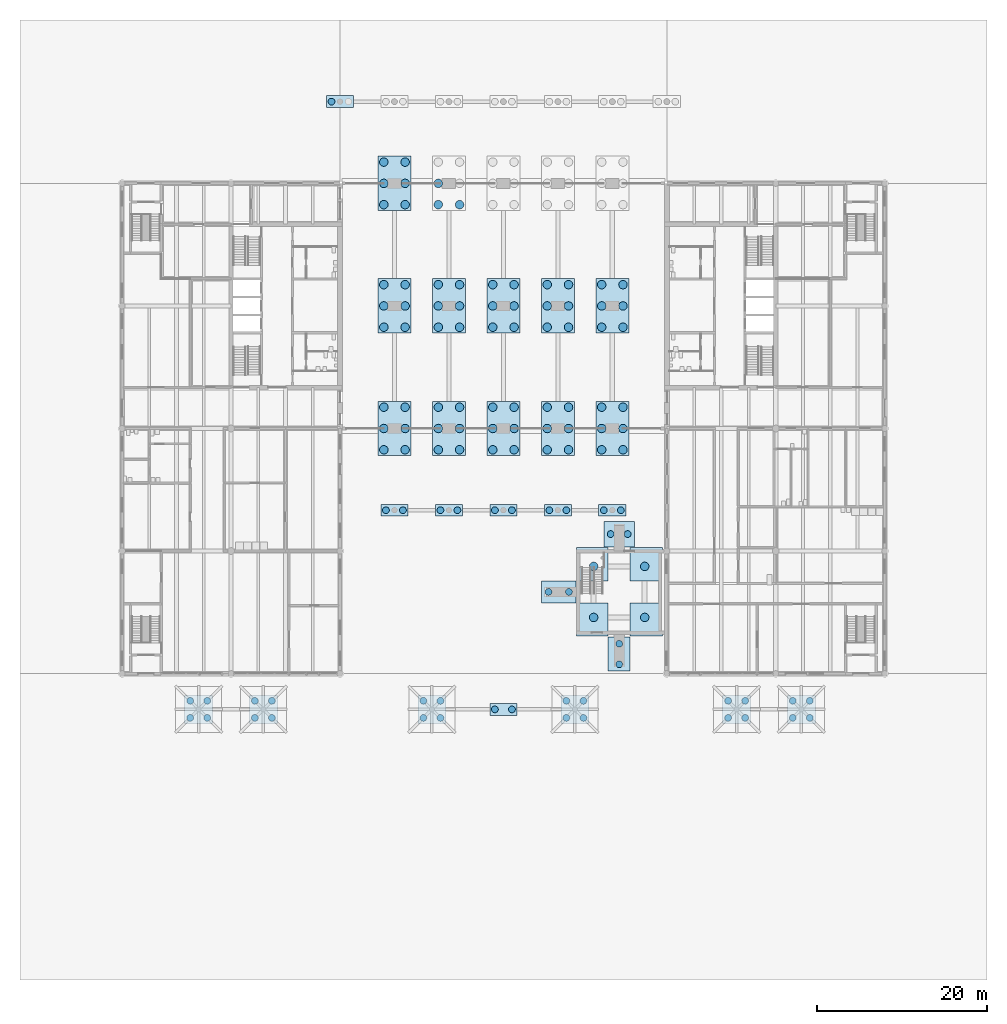
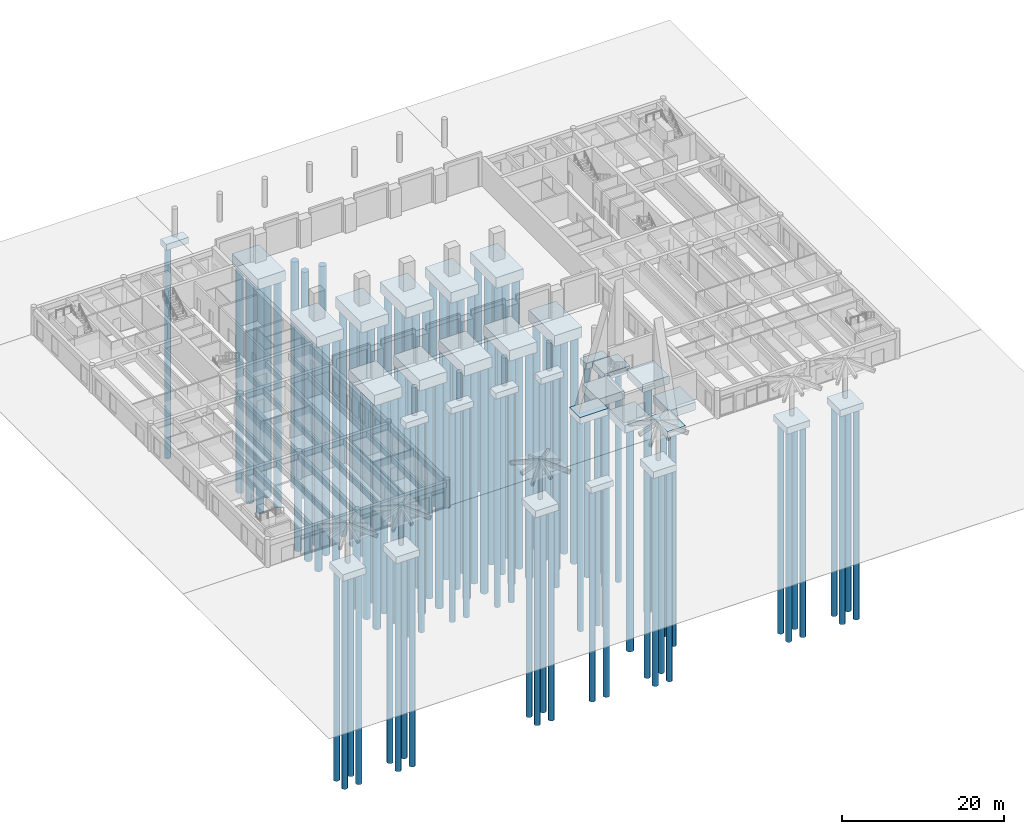
# One storey, part 1 of 28: 116 piles, 31 footings.
"""IFC4 building model written with IfcOpenShell, lengths in metres."""

from ifc_helpers import new_model, si_unit, direction, frame, origin, origin_2d, place, context, subcontext, project, spatial, polyline, circle, outline, extrude, material, layer, layer_set, material_profile, profile_set, type_object, element, save


model = new_model("IFC4")

# Units and contexts
model_context = context("Model", 3, precision=1e-05, world=origin(), true_north=direction((0.0, 1.0)))
body_context = subcontext(model_context, "Body", "Model", "MODEL_VIEW")
ifc_project = project(units=[si_unit("LENGTHUNIT", "METRE"), si_unit("AREAUNIT", "SQUARE_METRE"), si_unit("VOLUMEUNIT", "CUBIC_METRE"), si_unit("PLANEANGLEUNIT", "RADIAN"), si_unit("MASSUNIT", "GRAM", prefix="KILO")], contexts=[model_context])

# Site, building, storey
site_placement = place(None, origin())
site = spatial("IfcSite", under=ifc_project, at=site_placement, CompositionType="ELEMENT")
building_placement = place(site_placement, origin())
building = spatial("IfcBuilding", under=site, at=building_placement, Name="Fogon Plaza Fire Station and Headquarters Tower", CompositionType="ELEMENT")
storey_placement = place(building_placement, origin())
storey = spatial("IfcBuildingStorey", under=building, at=storey_placement, Name="L00", CompositionType="ELEMENT", Elevation=0.0)

# Piles
ifc_material_1 = material(Name="Concrete C40", Category="concrete")
ifc_material_profile_1 = material_profile(ifc_material_1, circle(Radius=0.5, at=origin_2d()), Name="RC D1000")
ifc_profile_set_1 = profile_set([ifc_material_profile_1], Name="Concrete C40")
pile_type_1 = type_object("IfcPileType", Name="PILE RC D1000", PredefinedType="BORED", material=ifc_profile_set_1)
for number, where, z_axis, x_axis, name in (
    (1, (55.39990234375, 6.60009765625, -1.35009765625), (0.0, 0.0, -1.0), (1.0, 0.0, 0.0), "pile-drillSW-01"),
    (2, (61.39990234375, 6.60009765625, -1.35009765625), (0.0, 0.0, -1.0), (1.0, 0.0, 0.0), "pile-drillSE-01"),
    (3, (55.39990234375, 12.60009765625, -1.35009765625), (0.0, 0.0, -1.0), (1.0, 0.0, 0.0), "pile-drillNW-01"),
    (4, (61.39990234375, 12.60009765625, -1.35009765625), (0.0, 0.0, -1.0), (1.0, 0.0, 0.0), "pile-drillNE-01"),
):
    element("IfcPile", number, at=place(storey_placement, frame(where, z_axis=z_axis, x_axis=x_axis)), inside=storey, type_object=pile_type_1, Name=name, PredefinedType="BORED", context=body_context, shape_type="SweptSolid", body=[
        extrude(circle(Radius=0.5, at=origin_2d()), origin(), (0.0, 0.0, 1.0), 34.64990234375),
    ])
for number, where, z_axis, x_axis, name in (
    (5, (30.75, 26.300048828125, -1.89990234375), (0.0, 0.0, -1.0), (1.0, 0.0, 0.0), "pile-P4D-01"),
    (6, (30.75, 28.800048828125, -1.89990234375), (0.0, 0.0, -1.0), (1.0, 0.0, 0.0), "pile-P4D-02"),
    (7, (30.75, 31.300048828125, -1.89990234375), (0.0, 0.0, -1.0), (1.0, 0.0, 0.0), "pile-P4D-03"),
    (8, (33.25, 26.300048828125, -1.89990234375), (0.0, 0.0, -1.0), (1.0, 0.0, 0.0), "pile-P4D-04"),
    (9, (33.25, 28.800048828125, -1.89990234375), (0.0, 0.0, -1.0), (1.0, 0.0, 0.0), "pile-P4D-05"),
    (10, (33.25, 31.300048828125, -1.89990234375), (0.0, 0.0, -1.0), (1.0, 0.0, 0.0), "pile-P4D-06"),
    (11, (30.75, 40.699951171875, -1.89990234375), (0.0, 0.0, -1.0), (1.0, 0.0, 0.0), "pile-P4F-01"),
    (12, (30.75, 43.199951171875, -1.89990234375), (0.0, 0.0, -1.0), (1.0, 0.0, 0.0), "pile-P4F-02"),
    (13, (30.75, 45.699951171875, -1.89990234375), (0.0, 0.0, -1.0), (1.0, 0.0, 0.0), "pile-P4F-03"),
    (14, (33.25, 40.699951171875, -1.89990234375), (0.0, 0.0, -1.0), (1.0, 0.0, 0.0), "pile-P4F-04"),
    (15, (33.25, 43.199951171875, -1.89990234375), (0.0, 0.0, -1.0), (1.0, 0.0, 0.0), "pile-P4F-05"),
    (16, (33.25, 45.699951171875, -1.89990234375), (0.0, 0.0, -1.0), (1.0, 0.0, 0.0), "pile-P4F-06"),
    (17, (30.75, 55.10009765625, -1.89990234375), (0.0, 0.0, -1.0), (1.0, 0.0, 0.0), "pile-P4H-01"),
    (18, (30.75, 57.60009765625, -1.89990234375), (0.0, 0.0, -1.0), (1.0, 0.0, 0.0), "pile-P4H-02"),
    (19, (30.75, 60.10009765625, -1.89990234375), (0.0, 0.0, -1.0), (1.0, 0.0, 0.0), "pile-P4H-03"),
    (20, (33.25, 55.10009765625, -1.89990234375), (0.0, 0.0, -1.0), (1.0, 0.0, 0.0), "pile-P4H-04"),
    (21, (33.25, 57.60009765625, -1.89990234375), (0.0, 0.0, -1.0), (1.0, 0.0, 0.0), "pile-P4H-05"),
    (22, (33.25, 60.10009765625, -1.89990234375), (0.0, 0.0, -1.0), (1.0, 0.0, 0.0), "pile-P4H-06"),
    (23, (37.14990234375, 26.300048828125, -1.89990234375), (0.0, 0.0, -1.0), (1.0, 0.0, 0.0), "pile-P5D-01"),
    (24, (37.14990234375, 28.800048828125, -1.89990234375), (0.0, 0.0, -1.0), (1.0, 0.0, 0.0), "pile-P5D-02"),
    (25, (37.14990234375, 31.300048828125, -1.89990234375), (0.0, 0.0, -1.0), (1.0, 0.0, 0.0), "pile-P5D-03"),
    (26, (39.64990234375, 26.300048828125, -1.89990234375), (0.0, 0.0, -1.0), (1.0, 0.0, 0.0), "pile-P5D-04"),
    (27, (39.64990234375, 28.800048828125, -1.89990234375), (0.0, 0.0, -1.0), (1.0, 0.0, 0.0), "pile-P5D-05"),
    (28, (39.64990234375, 31.300048828125, -1.89990234375), (0.0, 0.0, -1.0), (1.0, 0.0, 0.0), "pile-P5D-06"),
    (29, (37.14990234375, 40.699951171875, -1.89990234375), (0.0, 0.0, -1.0), (1.0, 0.0, 0.0), "pile-P5F-01"),
    (30, (37.14990234375, 43.199951171875, -1.89990234375), (0.0, 0.0, -1.0), (1.0, 0.0, 0.0), "pile-P5F-02"),
    (31, (37.14990234375, 45.699951171875, -1.89990234375), (0.0, 0.0, -1.0), (1.0, 0.0, 0.0), "pile-P5F-03"),
    (32, (39.64990234375, 40.699951171875, -1.89990234375), (0.0, 0.0, -1.0), (1.0, 0.0, 0.0), "pile-P5F-04"),
    (33, (39.64990234375, 43.199951171875, -1.89990234375), (0.0, 0.0, -1.0), (1.0, 0.0, 0.0), "pile-P5F-05"),
    (34, (39.64990234375, 45.699951171875, -1.89990234375), (0.0, 0.0, -1.0), (1.0, 0.0, 0.0), "pile-P5F-06"),
    (35, (37.14990234375, 55.10009765625, -1.89990234375), (0.0, 0.0, -1.0), (1.0, 0.0, 0.0), "pile-P5H-01"),
    (36, (37.14990234375, 57.60009765625, -1.89990234375), (0.0, 0.0, -1.0), (1.0, 0.0, 0.0), "pile-P5H-02"),
    (37, (39.64990234375, 55.10009765625, -1.89990234375), (0.0, 0.0, -1.0), (1.0, 0.0, 0.0), "pile-P5H-04"),
    (38, (43.550048828125, 26.300048828125, -1.89990234375), (0.0, 0.0, -1.0), (1.0, 0.0, 0.0), "pile-P6D-01"),
    (39, (43.550048828125, 28.800048828125, -1.89990234375), (0.0, 0.0, -1.0), (1.0, 0.0, 0.0), "pile-P6D-02"),
    (40, (43.550048828125, 31.300048828125, -1.89990234375), (0.0, 0.0, -1.0), (1.0, 0.0, 0.0), "pile-P6D-03"),
    (41, (46.050048828125, 26.300048828125, -1.89990234375), (0.0, 0.0, -1.0), (1.0, 0.0, 0.0), "pile-P6D-04"),
    (42, (46.050048828125, 28.800048828125, -1.89990234375), (0.0, 0.0, -1.0), (1.0, 0.0, 0.0), "pile-P6D-05"),
    (43, (46.050048828125, 31.300048828125, -1.89990234375), (0.0, 0.0, -1.0), (1.0, 0.0, 0.0), "pile-P6D-06"),
    (44, (43.550048828125, 40.699951171875, -1.89990234375), (0.0, 0.0, -1.0), (1.0, 0.0, 0.0), "pile-P6F-01"),
    (45, (43.550048828125, 43.199951171875, -1.89990234375), (0.0, 0.0, -1.0), (1.0, 0.0, 0.0), "pile-P6F-02"),
    (46, (43.550048828125, 45.699951171875, -1.89990234375), (0.0, 0.0, -1.0), (1.0, 0.0, 0.0), "pile-P6F-03"),
    (47, (46.050048828125, 40.699951171875, -1.89990234375), (0.0, 0.0, -1.0), (1.0, 0.0, 0.0), "pile-P6F-04"),
    (48, (46.050048828125, 43.199951171875, -1.89990234375), (0.0, 0.0, -1.0), (1.0, 0.0, 0.0), "pile-P6F-05"),
    (49, (46.050048828125, 45.699951171875, -1.89990234375), (0.0, 0.0, -1.0), (1.0, 0.0, 0.0), "pile-P6F-06"),
    (50, (49.949951171875, 26.300048828125, -1.89990234375), (0.0, 0.0, -1.0), (1.0, 0.0, 0.0), "pile-P7D-01"),
    (51, (49.949951171875, 28.800048828125, -1.89990234375), (0.0, 0.0, -1.0), (1.0, 0.0, 0.0), "pile-P7D-02"),
    (52, (49.949951171875, 31.300048828125, -1.89990234375), (0.0, 0.0, -1.0), (1.0, 0.0, 0.0), "pile-P7D-03"),
    (53, (52.449951171875, 26.300048828125, -1.89990234375), (0.0, 0.0, -1.0), (1.0, 0.0, 0.0), "pile-P7D-04"),
    (54, (52.449951171875, 28.800048828125, -1.89990234375), (0.0, 0.0, -1.0), (1.0, 0.0, 0.0), "pile-P7D-05"),
    (55, (52.449951171875, 31.300048828125, -1.89990234375), (0.0, 0.0, -1.0), (1.0, 0.0, 0.0), "pile-P7D-06"),
    (56, (49.949951171875, 40.699951171875, -1.89990234375), (0.0, 0.0, -1.0), (1.0, 0.0, 0.0), "pile-P7F-01"),
    (57, (49.949951171875, 43.199951171875, -1.89990234375), (0.0, 0.0, -1.0), (1.0, 0.0, 0.0), "pile-P7F-02"),
    (58, (49.949951171875, 45.699951171875, -1.89990234375), (0.0, 0.0, -1.0), (1.0, 0.0, 0.0), "pile-P7F-03"),
    (59, (52.449951171875, 40.699951171875, -1.89990234375), (0.0, 0.0, -1.0), (1.0, 0.0, 0.0), "pile-P7F-04"),
    (60, (52.449951171875, 43.199951171875, -1.89990234375), (0.0, 0.0, -1.0), (1.0, 0.0, 0.0), "pile-P7F-05"),
    (61, (52.449951171875, 45.699951171875, -1.89990234375), (0.0, 0.0, -1.0), (1.0, 0.0, 0.0), "pile-P7F-06"),
    (62, (56.35009765625, 26.300048828125, -1.89990234375), (0.0, 0.0, -1.0), (1.0, 0.0, 0.0), "pile-P8D-01"),
    (63, (56.35009765625, 28.800048828125, -1.89990234375), (0.0, 0.0, -1.0), (1.0, 0.0, 0.0), "pile-P8D-02"),
    (64, (56.35009765625, 31.300048828125, -1.89990234375), (0.0, 0.0, -1.0), (1.0, 0.0, 0.0), "pile-P8D-03"),
    (65, (58.85009765625, 26.300048828125, -1.89990234375), (0.0, 0.0, -1.0), (1.0, 0.0, 0.0), "pile-P8D-04"),
    (66, (58.85009765625, 28.800048828125, -1.89990234375), (0.0, 0.0, -1.0), (1.0, 0.0, 0.0), "pile-P8D-05"),
    (67, (58.85009765625, 31.300048828125, -1.89990234375), (0.0, 0.0, -1.0), (1.0, 0.0, 0.0), "pile-P8D-06"),
    (68, (56.35009765625, 40.699951171875, -1.89990234375), (0.0, 0.0, -1.0), (1.0, 0.0, 0.0), "pile-P8F-01"),
    (69, (56.35009765625, 43.199951171875, -1.89990234375), (0.0, 0.0, -1.0), (1.0, 0.0, 0.0), "pile-P8F-02"),
    (70, (56.35009765625, 45.699951171875, -1.89990234375), (0.0, 0.0, -1.0), (1.0, 0.0, 0.0), "pile-P8F-03"),
    (71, (58.85009765625, 40.699951171875, -1.89990234375), (0.0, 0.0, -1.0), (1.0, 0.0, 0.0), "pile-P8F-04"),
    (72, (58.85009765625, 43.199951171875, -1.89990234375), (0.0, 0.0, -1.0), (1.0, 0.0, 0.0), "pile-P8F-05"),
    (73, (58.85009765625, 45.699951171875, -1.89990234375), (0.0, 0.0, -1.0), (1.0, 0.0, 0.0), "pile-P8F-06"),
):
    element("IfcPile", number, at=place(storey_placement, frame(where, z_axis=z_axis, x_axis=x_axis)), inside=storey, type_object=pile_type_1, Name=name, PredefinedType="BORED", context=body_context, shape_type="SweptSolid", body=[
        extrude(circle(Radius=0.5, at=origin_2d()), origin(), (0.0, 0.0, 1.0), 34.10009765625),
    ])
ifc_material_2 = material(Name="Concrete C40", Category="concrete")
ifc_material_profile_2 = material_profile(ifc_material_2, circle(Radius=0.39990234375, at=origin_2d()), Name="RC D800")
ifc_profile_set_2 = profile_set([ifc_material_profile_2], Name="Concrete C40")
pile_type_2 = type_object("IfcPileType", Name="PILE RC D800", PredefinedType="BORED", material=ifc_profile_set_2)
for number, where, z_axis, x_axis, name in (
    (74, (50.10009765625, 9.60009765625, -0.89990234375), (0.0, 0.0, -1.0), (1.0, 0.0, 0.0), "pile-DBW-01"),
    (75, (52.5, 9.60009765625, -0.89990234375), (0.0, 0.0, -1.0), (1.0, 0.0, 0.0), "pile-DBW-02"),
    (76, (58.39990234375, 1.10009765625, -0.89990234375), (0.0, 0.0, -1.0), (1.0, 0.0, 0.0), "pile-DBS-01"),
    (77, (58.39990234375, 3.5, -0.89990234375), (0.0, 0.0, -1.0), (1.0, 0.0, 0.0), "pile-DBS-02"),
    (78, (57.39990234375, 16.39990234375, -0.89990234375), (0.0, 0.0, -1.0), (1.0, 0.0, 0.0), "pile-DBN-01"),
    (79, (59.39990234375, 16.39990234375, -0.89990234375), (0.0, 0.0, -1.0), (1.0, 0.0, 0.0), "pile-DBN-02"),
):
    element("IfcPile", number, at=place(storey_placement, frame(where, z_axis=z_axis, x_axis=x_axis)), inside=storey, type_object=pile_type_2, Name=name, PredefinedType="BORED", context=body_context, shape_type="SweptSolid", body=[
        extrude(circle(Radius=0.39990234375, at=origin_2d()), origin(), (0.0, 0.0, 1.0), 32.10009765625),
    ])
for number, where, z_axis, x_axis, name in (
    (80, (43.800048828125, -4.199951171875, -1.199951171875), (0.0, 0.0, -1.0), (1.0, 0.0, 0.0), "pile-UT1-01"),
    (81, (45.800048828125, -4.199951171875, -1.199951171875), (0.0, 0.0, -1.0), (1.0, 0.0, 0.0), "pile-UT1-02"),
    (82, (24.60009765625, 67.199951171875, -1.199951171875), (0.0, 0.0, -1.0), (1.0, 0.0, 0.0), "pile-CF1-01"),
    (83, (31.0, 19.199951171875, -1.199951171875), (0.0, 0.0, -1.0), (1.0, 0.0, 0.0), "pile-CR2-01"),
    (84, (33.0, 19.199951171875, -1.199951171875), (0.0, 0.0, -1.0), (1.0, 0.0, 0.0), "pile-CR2-02"),
    (85, (37.39990234375, 19.199951171875, -1.199951171875), (0.0, 0.0, -1.0), (1.0, 0.0, 0.0), "pile-CR3-01"),
    (86, (39.39990234375, 19.199951171875, -1.199951171875), (0.0, 0.0, -1.0), (1.0, 0.0, 0.0), "pile-CR3-02"),
    (87, (43.800048828125, 19.199951171875, -1.199951171875), (0.0, 0.0, -1.0), (1.0, 0.0, 0.0), "pile-CR4-01"),
    (88, (45.800048828125, 19.199951171875, -1.199951171875), (0.0, 0.0, -1.0), (1.0, 0.0, 0.0), "pile-CR4-02"),
    (89, (50.199951171875, 19.199951171875, -1.199951171875), (0.0, 0.0, -1.0), (1.0, 0.0, 0.0), "pile-CR5-01"),
    (90, (52.199951171875, 19.199951171875, -1.199951171875), (0.0, 0.0, -1.0), (1.0, 0.0, 0.0), "pile-CR5-02"),
    (91, (56.60009765625, 19.199951171875, -1.199951171875), (0.0, 0.0, -1.0), (1.0, 0.0, 0.0), "pile-CR6-01"),
    (92, (58.60009765625, 19.199951171875, -1.199951171875), (0.0, 0.0, -1.0), (1.0, 0.0, 0.0), "pile-CR6-02"),
):
    element("IfcPile", number, at=place(storey_placement, frame(where, z_axis=z_axis, x_axis=x_axis)), inside=storey, type_object=pile_type_2, Name=name, PredefinedType="BORED", context=body_context, shape_type="SweptSolid", body=[
        extrude(circle(Radius=0.39990234375, at=origin_2d()), origin(), (0.0, 0.0, 1.0), 31.800048828125),
    ])
for number, where, z_axis, x_axis, name in (
    (93, (8.0, -5.199951171875, -1.300048828125), (0.0, 0.0, -1.0), (1.0, 0.0, 0.0), "pile-U1-01"),
    (94, (8.0, -3.199951171875, -1.300048828125), (0.0, 0.0, -1.0), (1.0, 0.0, 0.0), "pile-U1-02"),
    (95, (10.0, -5.199951171875, -1.300048828125), (0.0, 0.0, -1.0), (1.0, 0.0, 0.0), "pile-U1-03"),
    (96, (10.0, -3.199951171875, -1.300048828125), (0.0, 0.0, -1.0), (1.0, 0.0, 0.0), "pile-U1-04"),
    (97, (15.60009765625, -5.199951171875, -1.300048828125), (0.0, 0.0, -1.0), (1.0, 0.0, 0.0), "pile-U2-01"),
    (98, (15.60009765625, -3.199951171875, -1.300048828125), (0.0, 0.0, -1.0), (1.0, 0.0, 0.0), "pile-U2-02"),
    (99, (17.60009765625, -5.199951171875, -1.300048828125), (0.0, 0.0, -1.0), (1.0, 0.0, 0.0), "pile-U2-03"),
    (100, (17.60009765625, -3.199951171875, -1.300048828125), (0.0, 0.0, -1.0), (1.0, 0.0, 0.0), "pile-U2-04"),
    (101, (35.39990234375, -5.199951171875, -1.300048828125), (0.0, 0.0, -1.0), (1.0, 0.0, 0.0), "pile-U3-01"),
    (102, (35.39990234375, -3.199951171875, -1.300048828125), (0.0, 0.0, -1.0), (1.0, 0.0, 0.0), "pile-U3-02"),
    (103, (37.39990234375, -5.199951171875, -1.300048828125), (0.0, 0.0, -1.0), (1.0, 0.0, 0.0), "pile-U3-03"),
    (104, (37.39990234375, -3.199951171875, -1.300048828125), (0.0, 0.0, -1.0), (1.0, 0.0, 0.0), "pile-U3-04"),
    (105, (52.199951171875, -5.199951171875, -1.300048828125), (0.0, 0.0, -1.0), (1.0, 0.0, 0.0), "pile-U4-01"),
    (106, (52.199951171875, -3.199951171875, -1.300048828125), (0.0, 0.0, -1.0), (1.0, 0.0, 0.0), "pile-U4-02"),
    (107, (54.199951171875, -5.199951171875, -1.300048828125), (0.0, 0.0, -1.0), (1.0, 0.0, 0.0), "pile-U4-03"),
    (108, (54.199951171875, -3.199951171875, -1.300048828125), (0.0, 0.0, -1.0), (1.0, 0.0, 0.0), "pile-U4-04"),
    (109, (71.199951171875, -5.199951171875, -1.300048828125), (0.0, 0.0, -1.0), (1.0, 0.0, 0.0), "pile-U5-01"),
    (110, (71.199951171875, -3.199951171875, -1.300048828125), (0.0, 0.0, -1.0), (1.0, 0.0, 0.0), "pile-U5-02"),
    (111, (73.199951171875, -5.199951171875, -1.300048828125), (0.0, 0.0, -1.0), (1.0, 0.0, 0.0), "pile-U5-03"),
    (112, (73.199951171875, -3.199951171875, -1.300048828125), (0.0, 0.0, -1.0), (1.0, 0.0, 0.0), "pile-U5-04"),
    (113, (78.800048828125, -5.199951171875, -1.300048828125), (0.0, 0.0, -1.0), (1.0, 0.0, 0.0), "pile-U6-01"),
    (114, (78.800048828125, -3.199951171875, -1.300048828125), (0.0, 0.0, -1.0), (1.0, 0.0, 0.0), "pile-U6-02"),
    (115, (80.800048828125, -5.199951171875, -1.300048828125), (0.0, 0.0, -1.0), (1.0, 0.0, 0.0), "pile-U6-03"),
    (116, (80.800048828125, -3.199951171875, -1.300048828125), (0.0, 0.0, -1.0), (1.0, 0.0, 0.0), "pile-U6-04"),
):
    element("IfcPile", number, at=place(storey_placement, frame(where, z_axis=z_axis, x_axis=x_axis)), inside=storey, type_object=pile_type_2, Name=name, PredefinedType="BORED", context=body_context, shape_type="SweptSolid", body=[
        extrude(circle(Radius=0.39990234375, at=origin_2d()), origin(), (0.0, 0.0, 1.0), 31.699951171875),
    ])

# Footings
ifc_material_3 = material(Name="Concrete C40", Category="concrete")
ifc_layer_1 = layer(ifc_material_3, 1.0)
ifc_layer_set_1 = layer_set([ifc_layer_1], Name="Concrete C40")
footing_type_1 = type_object("IfcFootingType", Name="Pad footing 1000 PD26", PredefinedType="PAD_FOOTING", material=ifc_layer_set_1)
footing_1_placement = place(storey_placement, frame((0.0, 0.0, -1.0)))
element("IfcFooting", 117, at=footing_1_placement, inside=storey, type_object=footing_type_1, Name="cap-DBW", PredefinedType="PAD_FOOTING", context=body_context, shape_type="SweptSolid", body=[
    extrude(outline(polyline([(53.300048828125, 8.300048828125), (53.300048828125, 10.89990234375), (49.300048828125, 10.89990234375), (49.300048828125, 8.300048828125), (53.300048828125, 8.300048828125)])), origin(), (0.0, 0.0, 1.0), 1.0),
])
footing_2_placement = place(storey_placement, frame((0.0, 0.0, -1.0)))
element("IfcFooting", 118, at=footing_2_placement, inside=storey, type_object=footing_type_1, Name="cap-DBS", PredefinedType="PAD_FOOTING", context=body_context, shape_type="SweptSolid", body=[
    extrude(outline(polyline([(59.699951171875, 0.300048828125), (59.699951171875, 4.300048828125), (57.10009765625, 4.300048828125), (57.10009765625, 0.300048828125), (59.699951171875, 0.300048828125)])), origin(), (0.0, 0.0, 1.0), 1.0),
])
ifc_material_4 = material(Name="Concrete C40", Category="concrete")
ifc_layer_2 = layer(ifc_material_4, 1.0)
ifc_layer_set_2 = layer_set([ifc_layer_2], Name="Concrete C40")
footing_type_2 = type_object("IfcFootingType", Name="Pad footing 1000 PD36", PredefinedType="PAD_FOOTING", material=ifc_layer_set_2)
footing_3_placement = place(storey_placement, frame((0.0, 0.0, -1.0)))
element("IfcFooting", 119, at=footing_3_placement, inside=storey, type_object=footing_type_2, Name="cap-DBN", PredefinedType="PAD_FOOTING", context=body_context, shape_type="SweptSolid", body=[
    extrude(outline(polyline([(60.199951171875, 14.89990234375), (60.199951171875, 17.89990234375), (56.60009765625, 17.89990234375), (56.60009765625, 14.89990234375), (60.199951171875, 14.89990234375)])), origin(), (0.0, 0.0, 1.0), 1.0),
])
ifc_material_5 = material(Name="Concrete C40", Category="concrete")
ifc_layer_3 = layer(ifc_material_5, 1.0)
ifc_layer_set_3 = layer_set([ifc_layer_3], Name="Concrete C40")
footing_type_3 = type_object("IfcFootingType", Name="Pile cap 1000 PC10", PredefinedType="PILE_CAP", material=ifc_layer_set_3)
footing_4_placement = place(storey_placement, frame((0.0, 0.0, -1.39990234375)))
element("IfcFooting", 120, at=footing_4_placement, inside=storey, type_object=footing_type_3, Name="cap-U1", PredefinedType="PILE_CAP", context=body_context, shape_type="SweptSolid", body=[
    extrude(outline(polyline([(10.64990234375, -5.85009765625), (10.64990234375, -2.550048828125), (7.35009765625, -2.550048828125), (7.35009765625, -5.85009765625), (10.64990234375, -5.85009765625)])), origin(), (0.0, 0.0, 1.0), 1.0),
])
footing_5_placement = place(storey_placement, frame((0.0, 0.0, -1.39990234375)))
element("IfcFooting", 121, at=footing_5_placement, inside=storey, type_object=footing_type_3, Name="cap-U2", PredefinedType="PILE_CAP", context=body_context, shape_type="SweptSolid", body=[
    extrude(outline(polyline([(18.25, -5.85009765625), (18.25, -2.550048828125), (14.949951171875, -2.550048828125), (14.949951171875, -5.85009765625), (18.25, -5.85009765625)])), origin(), (0.0, 0.0, 1.0), 1.0),
])
footing_6_placement = place(storey_placement, frame((0.0, 0.0, -1.39990234375)))
element("IfcFooting", 122, at=footing_6_placement, inside=storey, type_object=footing_type_3, Name="cap-U3", PredefinedType="PILE_CAP", context=body_context, shape_type="SweptSolid", body=[
    extrude(outline(polyline([(38.050048828125, -5.85009765625), (38.050048828125, -2.550048828125), (34.75, -2.550048828125), (34.75, -5.85009765625), (38.050048828125, -5.85009765625)])), origin(), (0.0, 0.0, 1.0), 1.0),
])
footing_7_placement = place(storey_placement, frame((0.0, 0.0, -1.39990234375)))
element("IfcFooting", 123, at=footing_7_placement, inside=storey, type_object=footing_type_3, Name="cap-U4", PredefinedType="PILE_CAP", context=body_context, shape_type="SweptSolid", body=[
    extrude(outline(polyline([(54.85009765625, -5.85009765625), (54.85009765625, -2.550048828125), (51.550048828125, -2.550048828125), (51.550048828125, -5.85009765625), (54.85009765625, -5.85009765625)])), origin(), (0.0, 0.0, 1.0), 1.0),
])
footing_8_placement = place(storey_placement, frame((0.0, 0.0, -1.39990234375)))
element("IfcFooting", 124, at=footing_8_placement, inside=storey, type_object=footing_type_3, Name="cap-U5", PredefinedType="PILE_CAP", context=body_context, shape_type="SweptSolid", body=[
    extrude(outline(polyline([(73.85009765625, -5.85009765625), (73.85009765625, -2.550048828125), (70.550048828125, -2.550048828125), (70.550048828125, -5.85009765625), (73.85009765625, -5.85009765625)])), origin(), (0.0, 0.0, 1.0), 1.0),
])
footing_9_placement = place(storey_placement, frame((0.0, 0.0, -1.39990234375)))
element("IfcFooting", 125, at=footing_9_placement, inside=storey, type_object=footing_type_3, Name="cap-U6", PredefinedType="PILE_CAP", context=body_context, shape_type="SweptSolid", body=[
    extrude(outline(polyline([(81.449951171875, -5.85009765625), (81.449951171875, -2.550048828125), (78.14990234375, -2.550048828125), (78.14990234375, -5.85009765625), (81.449951171875, -5.85009765625)])), origin(), (0.0, 0.0, 1.0), 1.0),
])
ifc_material_6 = material(Name="Concrete C40", Category="concrete")
ifc_layer_4 = layer(ifc_material_6, 1.199951171875)
ifc_layer_set_4 = layer_set([ifc_layer_4], Name="Concrete C40")
footing_type_4 = type_object("IfcFootingType", Name="Pile cap 1200 PC34", PredefinedType="PILE_CAP", material=ifc_layer_set_4)
footing_10_placement = place(storey_placement, frame((0.0, 0.0, -1.449951171875)))
element("IfcFooting", 126, at=footing_10_placement, inside=storey, type_object=footing_type_4, Name="cap-drillSW", PredefinedType="PILE_CAP", context=body_context, shape_type="SweptSolid", body=[
    extrude(outline(polyline([(57.10009765625, 4.39990234375), (57.10009765625, 8.300048828125), (53.39990234375, 8.300048828125), (53.39990234375, 4.39990234375), (57.10009765625, 4.39990234375)])), origin(), (0.0, 0.0, 1.0), 1.199951171875),
])
footing_11_placement = place(storey_placement, frame((0.0, 0.0, -1.449951171875)))
element("IfcFooting", 127, at=footing_11_placement, inside=storey, type_object=footing_type_4, Name="cap-drillSE", PredefinedType="PILE_CAP", context=body_context, shape_type="SweptSolid", body=[
    extrude(outline(polyline([(63.5, 4.39990234375), (63.5, 8.300048828125), (59.699951171875, 8.300048828125), (59.699951171875, 4.39990234375), (63.5, 4.39990234375)])), origin(), (0.0, 0.0, 1.0), 1.199951171875),
])
footing_12_placement = place(storey_placement, frame((0.0, 0.0, -1.449951171875)))
element("IfcFooting", 128, at=footing_12_placement, inside=storey, type_object=footing_type_4, Name="cap-drillNW", PredefinedType="PILE_CAP", context=body_context, shape_type="SweptSolid", body=[
    extrude(outline(polyline([(57.10009765625, 10.89990234375), (57.10009765625, 14.800048828125), (53.39990234375, 14.800048828125), (53.39990234375, 10.89990234375), (57.10009765625, 10.89990234375)])), origin(), (0.0, 0.0, 1.0), 1.199951171875),
])
footing_13_placement = place(storey_placement, frame((0.0, 0.0, -1.449951171875)))
element("IfcFooting", 129, at=footing_13_placement, inside=storey, type_object=footing_type_4, Name="cap-drillNE", PredefinedType="PILE_CAP", context=body_context, shape_type="SweptSolid", body=[
    extrude(outline(polyline([(63.5, 10.89990234375), (63.5, 14.800048828125), (59.699951171875, 14.800048828125), (59.699951171875, 10.89990234375), (63.5, 10.89990234375)])), origin(), (0.0, 0.0, 1.0), 1.199951171875),
])
ifc_material_7 = material(Name="Concrete C40", Category="concrete")
ifc_layer_5 = layer(ifc_material_7, 1.60009765625)
ifc_layer_set_5 = layer_set([ifc_layer_5], Name="Concrete C40")
footing_type_5 = type_object("IfcFootingType", Name="Pile cap 1600 PC16", PredefinedType="PILE_CAP", material=ifc_layer_set_5)
footing_14_placement = place(storey_placement, frame((0.0, 0.0, -2.0)))
element("IfcFooting", 130, at=footing_14_placement, inside=storey, type_object=footing_type_5, Name="cap-P4D", PredefinedType="PILE_CAP", context=body_context, shape_type="SweptSolid", body=[
    extrude(outline(polyline([(33.949951171875, 25.60009765625), (33.949951171875, 32.0), (30.050048828125, 32.0), (30.050048828125, 25.60009765625), (33.949951171875, 25.60009765625)])), origin(), (0.0, 0.0, 1.0), 1.60009765625),
])
footing_15_placement = place(storey_placement, frame((0.0, 0.0, -2.0)))
element("IfcFooting", 131, at=footing_15_placement, inside=storey, type_object=footing_type_5, Name="cap-P4F", PredefinedType="PILE_CAP", context=body_context, shape_type="SweptSolid", body=[
    extrude(outline(polyline([(33.949951171875, 40.0), (33.949951171875, 46.39990234375), (30.050048828125, 46.39990234375), (30.050048828125, 40.0), (33.949951171875, 40.0)])), origin(), (0.0, 0.0, 1.0), 1.60009765625),
])
footing_16_placement = place(storey_placement, frame((0.0, 0.0, -2.0)))
element("IfcFooting", 132, at=footing_16_placement, inside=storey, type_object=footing_type_5, Name="cap-P4H", PredefinedType="PILE_CAP", context=body_context, shape_type="SweptSolid", body=[
    extrude(outline(polyline([(33.949951171875, 54.39990234375), (33.949951171875, 60.800048828125), (30.050048828125, 60.800048828125), (30.050048828125, 54.39990234375), (33.949951171875, 54.39990234375)])), origin(), (0.0, 0.0, 1.0), 1.60009765625),
])
footing_17_placement = place(storey_placement, frame((0.0, 0.0, -2.0)))
element("IfcFooting", 133, at=footing_17_placement, inside=storey, type_object=footing_type_5, Name="cap-P5D", PredefinedType="PILE_CAP", context=body_context, shape_type="SweptSolid", body=[
    extrude(outline(polyline([(40.35009765625, 25.60009765625), (40.35009765625, 32.0), (36.449951171875, 32.0), (36.449951171875, 25.60009765625), (40.35009765625, 25.60009765625)])), origin(), (0.0, 0.0, 1.0), 1.60009765625),
])
footing_18_placement = place(storey_placement, frame((0.0, 0.0, -2.0)))
element("IfcFooting", 134, at=footing_18_placement, inside=storey, type_object=footing_type_5, Name="cap-P5F", PredefinedType="PILE_CAP", context=body_context, shape_type="SweptSolid", body=[
    extrude(outline(polyline([(40.35009765625, 40.0), (40.35009765625, 46.39990234375), (36.449951171875, 46.39990234375), (36.449951171875, 40.0), (40.35009765625, 40.0)])), origin(), (0.0, 0.0, 1.0), 1.60009765625),
])
footing_19_placement = place(storey_placement, frame((0.0, 0.0, -2.0)))
element("IfcFooting", 135, at=footing_19_placement, inside=storey, type_object=footing_type_5, Name="cap-P6D", PredefinedType="PILE_CAP", context=body_context, shape_type="SweptSolid", body=[
    extrude(outline(polyline([(46.75, 25.60009765625), (46.75, 32.0), (42.85009765625, 32.0), (42.85009765625, 25.60009765625), (46.75, 25.60009765625)])), origin(), (0.0, 0.0, 1.0), 1.60009765625),
])
footing_20_placement = place(storey_placement, frame((0.0, 0.0, -2.0)))
element("IfcFooting", 136, at=footing_20_placement, inside=storey, type_object=footing_type_5, Name="cap-P6F", PredefinedType="PILE_CAP", context=body_context, shape_type="SweptSolid", body=[
    extrude(outline(polyline([(46.75, 40.0), (46.75, 46.39990234375), (42.85009765625, 46.39990234375), (42.85009765625, 40.0), (46.75, 40.0)])), origin(), (0.0, 0.0, 1.0), 1.60009765625),
])
footing_21_placement = place(storey_placement, frame((0.0, 0.0, -2.0)))
element("IfcFooting", 137, at=footing_21_placement, inside=storey, type_object=footing_type_5, Name="cap-P7D", PredefinedType="PILE_CAP", context=body_context, shape_type="SweptSolid", body=[
    extrude(outline(polyline([(53.14990234375, 25.60009765625), (53.14990234375, 32.0), (49.25, 32.0), (49.25, 25.60009765625), (53.14990234375, 25.60009765625)])), origin(), (0.0, 0.0, 1.0), 1.60009765625),
])
footing_22_placement = place(storey_placement, frame((0.0, 0.0, -2.0)))
element("IfcFooting", 138, at=footing_22_placement, inside=storey, type_object=footing_type_5, Name="cap-P7F", PredefinedType="PILE_CAP", context=body_context, shape_type="SweptSolid", body=[
    extrude(outline(polyline([(53.14990234375, 40.0), (53.14990234375, 46.39990234375), (49.25, 46.39990234375), (49.25, 40.0), (53.14990234375, 40.0)])), origin(), (0.0, 0.0, 1.0), 1.60009765625),
])
footing_23_placement = place(storey_placement, frame((0.0, 0.0, -2.0)))
element("IfcFooting", 139, at=footing_23_placement, inside=storey, type_object=footing_type_5, Name="cap-P8D", PredefinedType="PILE_CAP", context=body_context, shape_type="SweptSolid", body=[
    extrude(outline(polyline([(59.550048828125, 25.60009765625), (59.550048828125, 32.0), (55.64990234375, 32.0), (55.64990234375, 25.60009765625), (59.550048828125, 25.60009765625)])), origin(), (0.0, 0.0, 1.0), 1.60009765625),
])
footing_24_placement = place(storey_placement, frame((0.0, 0.0, -2.0)))
element("IfcFooting", 140, at=footing_24_placement, inside=storey, type_object=footing_type_5, Name="cap-P8F", PredefinedType="PILE_CAP", context=body_context, shape_type="SweptSolid", body=[
    extrude(outline(polyline([(59.550048828125, 40.0), (59.550048828125, 46.39990234375), (55.64990234375, 46.39990234375), (55.64990234375, 40.0), (59.550048828125, 40.0)])), origin(), (0.0, 0.0, 1.0), 1.60009765625),
])
ifc_material_8 = material(Name="Concrete C40", Category="concrete")
ifc_layer_6 = layer(ifc_material_8, 0.89990234375)
ifc_layer_set_6 = layer_set([ifc_layer_6], Name="Concrete C40")
footing_type_6 = type_object("IfcFootingType", Name="Pile cap 900 PC09", PredefinedType="PILE_CAP", material=ifc_layer_set_6)
footing_25_placement = place(storey_placement, frame((0.0, 0.0, -1.300048828125)))
element("IfcFooting", 141, at=footing_25_placement, inside=storey, type_object=footing_type_6, Name="cap-UT1", PredefinedType="PILE_CAP", context=body_context, shape_type="SweptSolid", body=[
    extrude(outline(polyline([(46.39990234375, -4.89990234375), (46.39990234375, -3.5), (43.199951171875, -3.5), (43.199951171875, -4.89990234375), (46.39990234375, -4.89990234375)])), origin(), (0.0, 0.0, 1.0), 0.900146484375),
])
footing_26_placement = place(storey_placement, frame((0.0, 0.0, -1.300048828125)))
element("IfcFooting", 142, at=footing_26_placement, inside=storey, type_object=footing_type_6, Name="cap-CF1", PredefinedType="PILE_CAP", context=body_context, shape_type="SweptSolid", body=[
    extrude(outline(polyline([(27.199951171875, 66.5), (27.199951171875, 67.89990234375), (24.0, 67.89990234375), (24.0, 66.5), (27.199951171875, 66.5)])), origin(), (0.0, 0.0, 1.0), 0.900146484375),
])
footing_27_placement = place(storey_placement, frame((0.0, 0.0, -1.300048828125)))
element("IfcFooting", 143, at=footing_27_placement, inside=storey, type_object=footing_type_6, Name="cap-CR2", PredefinedType="PILE_CAP", context=body_context, shape_type="SweptSolid", body=[
    extrude(outline(polyline([(33.60009765625, 18.5), (33.60009765625, 19.89990234375), (30.39990234375, 19.89990234375), (30.39990234375, 18.5), (33.60009765625, 18.5)])), origin(), (0.0, 0.0, 1.0), 0.900146484375),
])
footing_28_placement = place(storey_placement, frame((0.0, 0.0, -1.300048828125)))
element("IfcFooting", 144, at=footing_28_placement, inside=storey, type_object=footing_type_6, Name="cap-CR3", PredefinedType="PILE_CAP", context=body_context, shape_type="SweptSolid", body=[
    extrude(outline(polyline([(40.0, 18.5), (40.0, 19.89990234375), (36.800048828125, 19.89990234375), (36.800048828125, 18.5), (40.0, 18.5)])), origin(), (0.0, 0.0, 1.0), 0.900146484375),
])
footing_29_placement = place(storey_placement, frame((0.0, 0.0, -1.300048828125)))
element("IfcFooting", 145, at=footing_29_placement, inside=storey, type_object=footing_type_6, Name="cap-CR4", PredefinedType="PILE_CAP", context=body_context, shape_type="SweptSolid", body=[
    extrude(outline(polyline([(46.39990234375, 18.5), (46.39990234375, 19.89990234375), (43.199951171875, 19.89990234375), (43.199951171875, 18.5), (46.39990234375, 18.5)])), origin(), (0.0, 0.0, 1.0), 0.900146484375),
])
footing_30_placement = place(storey_placement, frame((0.0, 0.0, -1.300048828125)))
element("IfcFooting", 146, at=footing_30_placement, inside=storey, type_object=footing_type_6, Name="cap-CR5", PredefinedType="PILE_CAP", context=body_context, shape_type="SweptSolid", body=[
    extrude(outline(polyline([(52.800048828125, 18.5), (52.800048828125, 19.89990234375), (49.60009765625, 19.89990234375), (49.60009765625, 18.5), (52.800048828125, 18.5)])), origin(), (0.0, 0.0, 1.0), 0.900146484375),
])
footing_31_placement = place(storey_placement, frame((0.0, 0.0, -1.300048828125)))
element("IfcFooting", 147, at=footing_31_placement, inside=storey, type_object=footing_type_6, Name="cap-CR6", PredefinedType="PILE_CAP", context=body_context, shape_type="SweptSolid", body=[
    extrude(outline(polyline([(59.199951171875, 18.5), (59.199951171875, 19.89990234375), (56.0, 19.89990234375), (56.0, 18.5), (59.199951171875, 18.5)])), origin(), (0.0, 0.0, 1.0), 0.900146484375),
])

save(model, "model.ifc")
